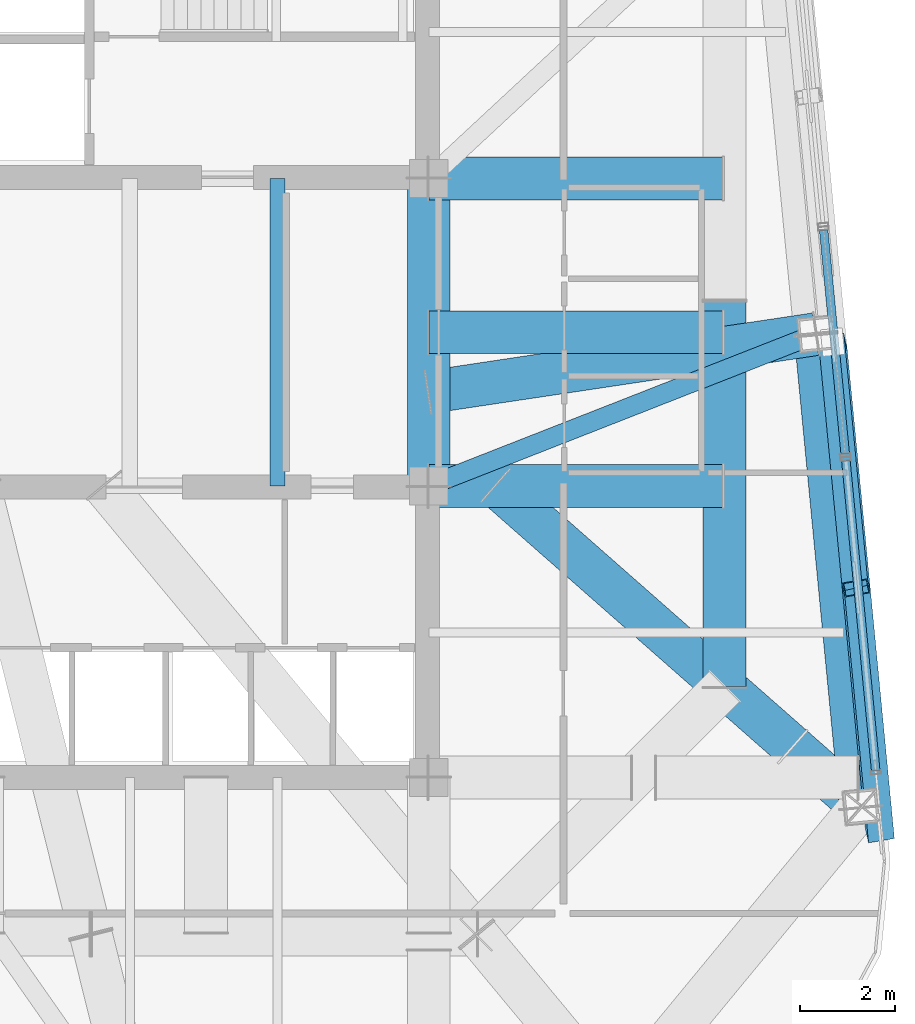
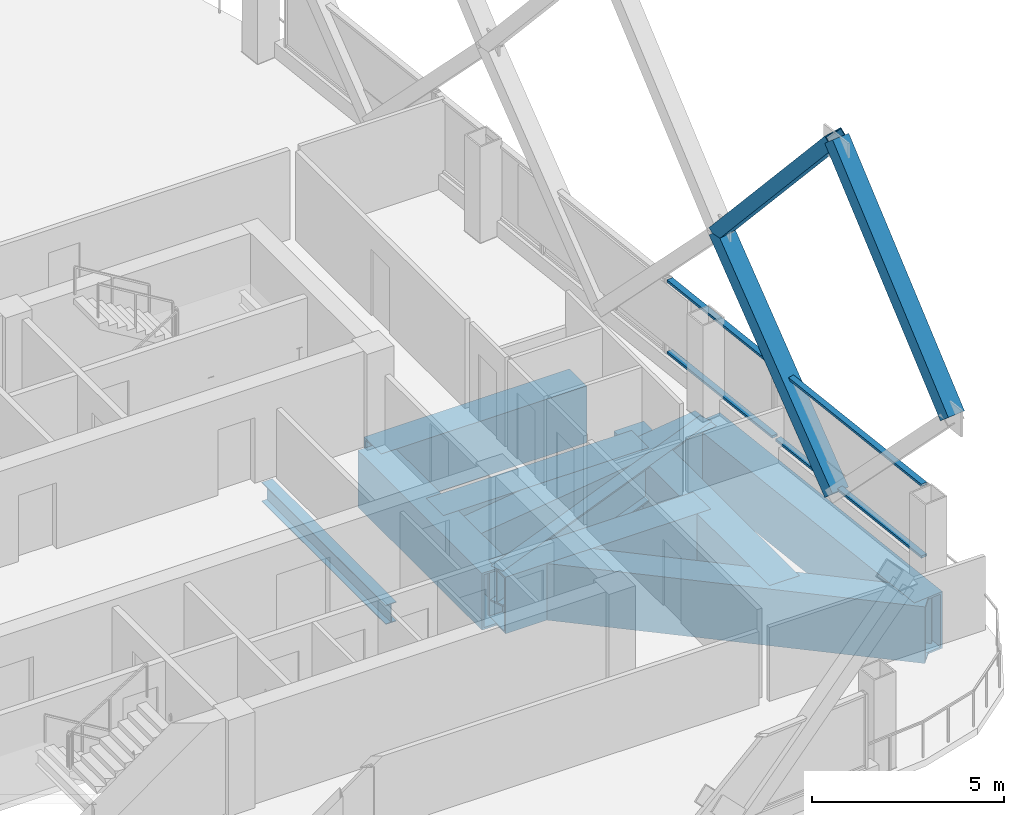
# One storey, part 16 of 37: 10 beams, 7 members, 2 elements without a shape of their own.
"""IFC4 building model written with IfcOpenShell, lengths in metres."""

import ifcopenshell
import ifcopenshell.guid

model = None  # the IFC model being written
_history = None  # IfcOwnerHistory: only IFC2X3 demands one
_inside = {}  # id of a spatial element -> (the spatial element, [elements in it])
_under = {}  # id of a project, library or spatial element -> (it, [spatial elements below it])
_declared = {}  # id of a project -> (the project, [libraries it declares])
_typed = {}  # id of a type object -> (the type object, [elements of that type])
_made_of = {}  # id of a material, layer set ... -> (it, [elements and type objects made of it])


def new_model(schema):
    """Start an empty IFC model of exactly this schema.

    Asked for "IFC4X3", IfcOpenShell would pick the latest addendum, in which some entities
    have other attributes; the version numbers below select the first issue.
    IFC2X3 requires an IfcOwnerHistory on every rooted entity: one is made here for all.
    """
    global model, _history
    if schema == "IFC4X3":
        model = ifcopenshell.file(schema_version=(4, 3, 0, 0))
    else:
        model = ifcopenshell.file(schema=schema)
    _inside.clear()
    _under.clear()
    _declared.clear()
    _typed.clear()
    _made_of.clear()
    _history = None
    if model.schema == "IFC2X3":
        org = make("IfcOrganization", Name="unknown")
        user = make(
            "IfcPersonAndOrganization",
            ThePerson=make("IfcPerson", FamilyName="unknown"),
            TheOrganization=org,
        )
        app = make(
            "IfcApplication",
            ApplicationDeveloper=org,
            Version="unknown",
            ApplicationFullName="unknown",
            ApplicationIdentifier="unknown",
        )
        _history = make(
            "IfcOwnerHistory",
            OwningUser=user,
            OwningApplication=app,
            ChangeAction="ADDED",
            CreationDate=0,
        )
    return model


def make(cls, **values):
    """One entity of the class cls with the attributes given. An attribute that is None is left unset."""
    return model.create_entity(
        cls, **{name: value for name, value in values.items() if value is not None}
    )


def rooted(cls, **values):
    """An entity with a GlobalId (a new one), such as an element, a storey or a relation."""
    return make(cls, GlobalId=ifcopenshell.guid.new(), OwnerHistory=_history, **values)


def si_unit(unit_type, name, prefix=None):
    """IfcSIUnit, for example si_unit("LENGTHUNIT", "METRE", prefix="MILLI")."""
    return make("IfcSIUnit", UnitType=unit_type, Prefix=prefix, Name=name)


def assignment(units):
    """IfcUnitAssignment: the units of a project."""
    return None if units is None else make("IfcUnitAssignment", Units=units)


def point(xyz):
    """IfcCartesianPoint."""
    return None if xyz is None else make("IfcCartesianPoint", Coordinates=xyz)


def direction(xyz):
    """IfcDirection."""
    return None if xyz is None else make("IfcDirection", DirectionRatios=xyz)


def frame(location, z_axis=None, x_axis=None):
    """IfcAxis2Placement3D, a coordinate frame: its origin and axes. An axis left out is left unset."""
    return make(
        "IfcAxis2Placement3D",
        Location=point(location),
        Axis=direction(z_axis),
        RefDirection=direction(x_axis),
    )


def frame_2d(location, x_axis=None):
    """IfcAxis2Placement2D, a coordinate frame in the plane: its origin and x axis."""
    return make(
        "IfcAxis2Placement2D", Location=point(location), RefDirection=direction(x_axis)
    )


def origin():
    """The frame at (0, 0, 0) with its axes left unset."""
    return frame((0.0, 0.0, 0.0))


def origin_2d():
    """The frame at (0, 0) in the plane with its x axis left unset."""
    return frame_2d((0.0, 0.0))


def place(relative_to, where):
    """IfcLocalPlacement: puts the frame where relative to a parent placement (None: the world)."""
    return make(
        "IfcLocalPlacement", PlacementRelTo=relative_to, RelativePlacement=where
    )


def context(
    kind, dimensions, precision=None, world=None, true_north=None, identifier=None
):
    """IfcGeometricRepresentationContext, for example the 3D "Model" context."""
    return make(
        "IfcGeometricRepresentationContext",
        ContextIdentifier=identifier,
        ContextType=kind,
        CoordinateSpaceDimension=dimensions,
        Precision=precision,
        WorldCoordinateSystem=world,
        TrueNorth=true_north,
    )


def subcontext(parent, identifier, kind, view, scale=None):
    """IfcGeometricRepresentationSubContext, for example "Body" below "Model"."""
    return make(
        "IfcGeometricRepresentationSubContext",
        ContextIdentifier=identifier,
        ContextType=kind,
        ParentContext=parent,
        TargetScale=scale,
        TargetView=view,
    )


def project(units=None, contexts=None):
    """IfcProject with its units and contexts."""
    return rooted(
        "IfcProject",
        Name="project",
        RepresentationContexts=contexts,
        UnitsInContext=assignment(units),
    )


def spatial(cls, under=None, at=None, **own):
    """A site, building, storey or space (cls), placed at a placement, below another one or the project."""
    s = rooted(cls, ObjectPlacement=at, **own)
    if under is not None:
        _under.setdefault(under.id(), (under, []))[1].append(s)
    return s


def profile(cls, at=None, kind="AREA", **sizes):
    """A parametric profile (cls). Its sizes go by their IFC names, for example OverallWidth=200.0."""
    return make(cls, ProfileType=kind, Position=at, **sizes)


def hollow_rectangle(**sizes):
    """IfcRectangleHollowProfileDef."""
    return profile("IfcRectangleHollowProfileDef", **sizes)


def i_section(**sizes):
    """IfcIShapeProfileDef."""
    return profile("IfcIShapeProfileDef", **sizes)


def extrude(swept, where, along, depth):
    """IfcExtrudedAreaSolid: the profile swept, set in the frame where, extruded along a direction by depth."""
    return make(
        "IfcExtrudedAreaSolid",
        SweptArea=swept,
        Position=where,
        ExtrudedDirection=direction(along),
        Depth=depth,
    )


def shape(context_of_items, identifier, shape_type, items):
    """IfcShapeRepresentation: the items that make up one representation, for example the "Body"."""
    return make(
        "IfcShapeRepresentation",
        ContextOfItems=context_of_items,
        RepresentationIdentifier=identifier,
        RepresentationType=shape_type,
        Items=items,
    )


def material(Name=None, Category=None):
    """IfcMaterial."""
    return make("IfcMaterial", Name=Name, Category=Category)


def layer(
    of_material, thickness, ventilated=None, Name=None, Category=None, Priority=None
):
    """IfcMaterialLayer: one layer of a wall or slab, of a material (None: an air gap)."""
    return make(
        "IfcMaterialLayer",
        Material=of_material,
        LayerThickness=thickness,
        IsVentilated=ventilated,
        Name=Name,
        Category=Category,
        Priority=Priority,
    )


def layer_set(layers, Name=None):
    """IfcMaterialLayerSet."""
    return make("IfcMaterialLayerSet", MaterialLayers=layers, LayerSetName=Name)


def material_profile(
    of_material, cross_section, Name=None, Category=None, Priority=None
):
    """IfcMaterialProfile: a cross section and its material."""
    return make(
        "IfcMaterialProfile",
        Name=Name,
        Material=of_material,
        Profile=cross_section,
        Priority=Priority,
        Category=Category,
    )


def profile_set(profiles, Name=None, composite=None):
    """IfcMaterialProfileSet."""
    return make(
        "IfcMaterialProfileSet",
        Name=Name,
        MaterialProfiles=profiles,
        CompositeProfile=composite,
    )


def made_of(thing, what):
    """Note that an element or type object is made of a material, layer set ...; save() writes the relation."""
    if what is not None:
        _made_of.setdefault(what.id(), (what, []))[1].append(thing)
    return thing


def type_object(cls, material=None, **own):
    """A type object (cls), such as IfcWallType, which elements share."""
    return made_of(rooted(cls, **own), material)


def element(
    cls,
    number,
    at=None,
    inside=None,
    cuts=None,
    type_object=None,
    material=None,
    context=None,
    identifier="Body",
    shape_type=None,
    held_by="IfcProductDefinitionShape",
    body=None,
    shapes=None,
    **own,
):
    """One element of the class cls, such as IfcWall. Its Tag is "e" and its number.

    at: its placement. inside: the storey or other place that contains it. cuts: it is an
    opening in that element (IfcRelVoidsElement). A single representation is given by context,
    identifier, shape_type and body (its items); several are given by shapes. held_by: the class
    of the entity that holds the representations. save() writes the other relations.
    """
    e = rooted(cls, Tag="e%d" % number, ObjectPlacement=at, **own)
    if body is not None:
        shapes = [shape(context, identifier, shape_type, body)]
    if shapes is not None:
        e.Representation = make(held_by, Representations=shapes)
    if inside is not None:
        _inside.setdefault(inside.id(), (inside, []))[1].append(e)
    if cuts is not None:
        rooted(
            "IfcRelVoidsElement", RelatingBuildingElement=cuts, RelatedOpeningElement=e
        )
    if type_object is not None:
        _typed.setdefault(type_object.id(), (type_object, []))[1].append(e)
    return made_of(e, material)


def aggregate(whole, parts):
    """IfcRelAggregates: a whole, such as a stair, and the parts it consists of."""
    return rooted("IfcRelAggregates", RelatingObject=whole, RelatedObjects=parts)


def save(model, path):
    """Write the relations noted so far, then the file.

    IfcRelAggregates (storeys below a building ...), IfcRelContainedInSpatialStructure (elements
    in a storey), IfcRelDefinesByType, IfcRelAssociatesMaterial and IfcRelDeclares: one each for
    every whole, place, type object, material and project.
    """
    for whole, parts in _under.values():
        aggregate(whole, parts)
    for where, things in _inside.values():
        rooted(
            "IfcRelContainedInSpatialStructure",
            RelatedElements=things,
            RelatingStructure=where,
        )
    for kind, things in _typed.values():
        rooted("IfcRelDefinesByType", RelatedObjects=things, RelatingType=kind)
    for what, things in _made_of.values():
        rooted("IfcRelAssociatesMaterial", RelatedObjects=things, RelatingMaterial=what)
    for by, libraries in _declared.values():
        rooted("IfcRelDeclares", RelatingContext=by, RelatedDefinitions=libraries)
    model.write(path)


model = new_model("IFC4")

# Units and contexts
model_context = context("Model", 3, precision=1e-05, world=origin(), true_north=direction((0.0, 1.0)))
body_context = subcontext(model_context, "Body", "Model", "MODEL_VIEW")
ifc_project = project(units=[si_unit("LENGTHUNIT", "METRE"), si_unit("AREAUNIT", "SQUARE_METRE"), si_unit("VOLUMEUNIT", "CUBIC_METRE"), si_unit("PLANEANGLEUNIT", "RADIAN"), si_unit("MASSUNIT", "GRAM", prefix="KILO")], contexts=[model_context])

# Site, building, storey
site_placement = place(None, origin())
site = spatial("IfcSite", under=ifc_project, at=site_placement, CompositionType="ELEMENT")
building_placement = place(site_placement, origin())
building = spatial("IfcBuilding", under=site, at=building_placement, Name="Qhalaya Broadcast Tower", CompositionType="ELEMENT")
storey_placement = place(building_placement, frame((0.0, 0.0, 156.14990234375)))
storey = spatial("IfcBuildingStorey", under=building, at=storey_placement, Name="L45", CompositionType="ELEMENT", Elevation=156.14990234375)

# Beams
ifc_material_1 = material(Name="Structural Steel ASTM A572 Grade 50", Category="steel")
ifc_material_profile_1 = material_profile(ifc_material_1, hollow_rectangle(XDim=0.89990234375, YDim=1.800048828125, WallThickness=0.06005859375, at=origin_2d()), Name="BOX 900x1800x60")
ifc_profile_set_1 = profile_set([ifc_material_profile_1], Name="Structural Steel ASTM A572 Grade 50")
beam_type_1 = type_object("IfcBeamType", Name="Block Cantilever Transfer Box Girder TG1", PredefinedType="USERDEFINED", material=ifc_profile_set_1)
beam_1_placement = place(storey_placement, frame((18.44775390625, -9.362060546875, -1.119873046875), z_axis=(-0.095826293365, 0.995398071879, 0.0), x_axis=(-0.995398071879, -0.095826293365, 0.0)))
element("IfcBeam", 1, at=beam_1_placement, inside=storey, type_object=beam_type_1, Name="L45 TG1 L45-SPR-05", ObjectType="GIRDER", PredefinedType="USERDEFINED", context=body_context, shape_type="SweptSolid", body=[
    extrude(hollow_rectangle(XDim=0.89990234375, YDim=1.800048828125, WallThickness=0.06005859375, at=origin_2d()), origin(), (0.0, 0.0, 1.0), 9.966796875),
])
beam_2_placement = place(storey_placement, frame((15.580078125, -6.840087890625, -1.119873046875), z_axis=(0.0, 1.0, 0.0), x_axis=(-1.0, 0.0, 0.0)))
element("IfcBeam", 2, at=beam_2_placement, inside=storey, type_object=beam_type_1, Name="L45 TG1 L45-TGL-05", ObjectType="GIRDER", PredefinedType="USERDEFINED", context=body_context, shape_type="SweptSolid", body=[
    extrude(hollow_rectangle(XDim=0.89990234375, YDim=1.800048828125, WallThickness=0.06005859375, at=origin_2d()), origin(), (0.0, 0.0, 1.0), 8.10009765625),
])
beam_3_placement = place(storey_placement, frame((9.375, 0.60009765625, -1.119873046875), z_axis=(1.0, 0.0, 0.0), x_axis=(0.0, 1.0, 0.0)))
element("IfcBeam", 3, at=beam_3_placement, inside=storey, type_object=beam_type_1, Name="L45 TG1 L45-TGIYE-1", ObjectType="GIRDER", PredefinedType="USERDEFINED", context=body_context, shape_type="SweptSolid", body=[
    extrude(hollow_rectangle(XDim=0.89990234375, YDim=1.800048828125, WallThickness=0.06005859375, at=origin_2d()), origin(), (0.0, 0.0, 1.0), 6.1650390625),
])
beam_4_placement = place(storey_placement, frame((9.375, -2.625, -1.119873046875), z_axis=(0.0, 1.0, 0.0), x_axis=(-1.0, 0.0, 0.0)))
element("IfcBeam", 4, at=beam_4_placement, inside=storey, type_object=beam_type_1, Name="L45 TG1 L45-TGIME-1", ObjectType="GIRDER", PredefinedType="USERDEFINED", context=body_context, shape_type="SweptSolid", body=[
    extrude(hollow_rectangle(XDim=0.89990234375, YDim=1.800048828125, WallThickness=0.06005859375, at=origin_2d()), origin(), (0.0, 0.0, 1.0), 6.449951171875),
])
for number, where, z_axis, x_axis, name in (
    (5, (9.375, -2.625, -1.119873046875), (1.0, 0.0, 0.0), (0.0, 1.0, 0.0), "L45 TG1 L45-TGIY2E-1"),
    (6, (9.375, 3.824951171875, -1.119873046875), (1.0, 0.0, 0.0), (0.0, 1.0, 0.0), "L45 TG1 L45-TGIY3E-1"),
):
    element("IfcBeam", number, at=place(storey_placement, frame(where, z_axis=z_axis, x_axis=x_axis)), inside=storey, type_object=beam_type_1, Name=name, ObjectType="GIRDER", PredefinedType="USERDEFINED", context=body_context, shape_type="SweptSolid", body=[
        extrude(hollow_rectangle(XDim=0.89990234375, YDim=1.800048828125, WallThickness=0.06005859375, at=origin_2d()), origin(), (0.0, 0.0, 1.0), 6.1650390625),
    ])
beam_5_placement = place(storey_placement, frame((10.787109375, -2.625, -1.119873046875), z_axis=(0.75092284215, -0.6603899493, 0.0), x_axis=(0.6603899493, 0.75092284215, 0.0)))
element("IfcBeam", 7, at=beam_5_placement, inside=storey, type_object=beam_type_1, Name="L45 Continuous Cantilever Transfer Box Girder 05", ObjectType="GIRDER", PredefinedType="USERDEFINED", context=body_context, shape_type="SweptSolid", body=[
    extrude(hollow_rectangle(XDim=0.89990234375, YDim=1.800048828125, WallThickness=0.06005859375, at=origin_2d()), origin(), (0.0, 0.0, 1.0), 10.20166015625),
])
beam_6_placement = place(storey_placement, frame((9.375, -0.65771484375, -1.119873046875), z_axis=(0.988955978973, 0.14820955318, 0.0), x_axis=(-0.14820955318, 0.988955978973, 0.0)))
element("IfcBeam", 8, at=beam_6_placement, inside=storey, type_object=beam_type_1, Name="L45 Continuous Cantilever Transfer Box Girder 06", ObjectType="GIRDER", PredefinedType="USERDEFINED", context=body_context, shape_type="SweptSolid", body=[
    extrude(hollow_rectangle(XDim=0.89990234375, YDim=1.800048828125, WallThickness=0.06005859375, at=origin_2d()), origin(), (0.0, 0.0, 1.0), 8.208251953125),
])
ifc_material_2 = material(Name="Structural Steel ASTM A992 Grade 50", Category="steel")
ifc_material_profile_2 = material_profile(ifc_material_2, i_section(OverallWidth=0.323974609375, OverallDepth=0.612060546875, WebThickness=0.0126953125, FlangeThickness=0.01904296875, at=origin_2d()), Name="W24X104")
ifc_profile_set_2 = profile_set([ifc_material_profile_2], Name="Structural Steel ASTM A992 Grade 50")
beam_type_2 = type_object("IfcBeamType", Name="Core Frame Tie Beam B04", PredefinedType="BEAM", material=ifc_profile_set_2)
beam_7_placement = place(storey_placement, frame((6.199951171875, -2.625, -0.52587890625), z_axis=(0.0, 1.0, 0.0), x_axis=(-1.0, 0.0, 0.0)))
element("IfcBeam", 9, at=beam_7_placement, inside=storey, type_object=beam_type_2, Name="L45 B04 L45-JC5-1", PredefinedType="BEAM", context=body_context, shape_type="SweptSolid", body=[
    extrude(i_section(OverallWidth=0.323974609375, OverallDepth=0.612060546875, WebThickness=0.0126953125, FlangeThickness=0.01904296875, at=origin_2d()), origin(), (0.0, 0.0, 1.0), 6.449951171875),
])

# Members
ifc_material_profile_3 = material_profile(ifc_material_1, hollow_rectangle(XDim=0.39990234375, YDim=0.550048828125, WallThickness=0.02490234375, at=origin_2d()), Name="BOX 400x550x25")
ifc_profile_set_3 = profile_set([ifc_material_profile_3], Name="Structural Steel ASTM A572 Grade 50")
member_type_1 = type_object("IfcMemberType", Name="Exoskeleton Diamond Diagonal Mid-High EX3", PredefinedType="BRACE", material=ifc_profile_set_3)
member_1_placement = place(storey_placement, frame((18.346923828125, -4.76708984375, 0.360107421875), z_axis=(-0.066504325889, 0.690631901239, 0.720142174594), x_axis=(0.164113379892, -0.704339295697, 0.690632286443)))
element("IfcMember", 10, at=member_1_placement, inside=storey, type_object=member_type_1, Name="B4 Exoskeleton Diamond Brace E1-D2", PredefinedType="BRACE", context=body_context, shape_type="SweptSolid", body=[
    extrude(hollow_rectangle(XDim=0.39990234375, YDim=0.550048828125, WallThickness=0.02490234375, at=origin_2d()), origin(), (0.0, 0.0, 1.0), 7.470703125),
])
for number, where, z_axis, x_axis, name in (
    (11, (18.84375, -9.926513671875, 5.739990234375), (-0.06350423358, 0.659476642868, 0.749037896123), (0.166870327526, -0.732969553362, 0.659477010695), "B4 Exoskeleton Diamond Brace E1-D3"),
    (12, (17.85009765625, 0.392333984375, 5.739990234375), (0.06350423358, -0.659476642868, 0.749037896123), (-0.166870327526, 0.732969553362, 0.659477010695), "B4 Exoskeleton Diamond Brace E1-D4"),
):
    element("IfcMember", number, at=place(storey_placement, frame(where, z_axis=z_axis, x_axis=x_axis)), inside=storey, type_object=member_type_1, Name=name, PredefinedType="BRACE", context=body_context, shape_type="SweptSolid", body=[
        extrude(hollow_rectangle(XDim=0.39990234375, YDim=0.550048828125, WallThickness=0.02490234375, at=origin_2d()), origin(), (0.0, 0.0, 1.0), 7.823486328125),
    ])

# Beam
ifc_material_profile_4 = material_profile(ifc_material_2, i_section(OverallWidth=0.404052734375, OverallDepth=1.117919921875, WebThickness=0.026123046875, FlangeThickness=0.044921875, at=origin_2d()), Name="W44X335")
ifc_profile_set_4 = profile_set([ifc_material_profile_4], Name="Structural Steel ASTM A992 Grade 50")
beam_type_3 = type_object("IfcBeamType", Name="Podium Long-Span Primary Girder PG1", PredefinedType="USERDEFINED", material=ifc_profile_set_4)
beam_8_placement = place(storey_placement, frame((9.375, -2.625, -0.77880859375), z_axis=(0.930956217272, 0.365130827953, 0.0), x_axis=(-0.365130827953, 0.930956217272, 0.0)))
element("IfcBeam", 13, at=beam_8_placement, inside=storey, type_object=beam_type_3, Name="L45 Column-to-Column Moment Tie Girder 06-1", ObjectType="GIRDER", PredefinedType="USERDEFINED", context=body_context, shape_type="SweptSolid", body=[
    extrude(i_section(OverallWidth=0.404052734375, OverallDepth=1.117919921875, WebThickness=0.026123046875, FlangeThickness=0.044921875, at=origin_2d()), origin(), (0.0, 0.0, 1.0), 8.7197265625),
])

# Curtain wall, members
ifc_material_3 = material(Name="Fired Architectural Terracotta", Category="masonry")
ifc_layer_1 = layer(ifc_material_3, 0.219970703125, Name="Fired Architectural Terracotta")
ifc_layer_set_1 = layer_set([ifc_layer_1], Name="Fired Architectural Terracotta")
curtain_wall_type_1 = type_object("IfcCurtainWallType", Name="Block-Cap Unitised Terracotta Spandrel Wall CW-07", PredefinedType="NOTDEFINED", material=ifc_layer_set_1)
curtain_wall_1_placement = place(storey_placement, origin())
curtain_wall_1 = element("IfcCurtainWall", 14, at=curtain_wall_1_placement, inside=storey, type_object=curtain_wall_type_1, Name="L45 Unitised Curtain Wall L45-CW-E1", PredefinedType="NOTDEFINED")
ifc_material_4 = material(Name="Anodised Aluminium 6063-T6", Category="aluminium")
ifc_material_profile_5 = material_profile(ifc_material_4, hollow_rectangle(XDim=0.074951171875, YDim=0.179931640625, WallThickness=0.00390625, at=origin_2d()), Name="ALU-TRN 75x180x4")
ifc_profile_set_5 = profile_set([ifc_material_profile_5], Name="Anodised Aluminium 6063-T6")
member_type_2 = type_object("IfcMemberType", Name="Unitised Curtain-Wall Transom T01", PredefinedType="USERDEFINED", material=ifc_profile_set_5)
member_2_placement = place(storey_placement, frame((18.756591796875, -8.603759765625, 0.517578125), z_axis=(-0.09584906286, 0.995395879612, 0.0), x_axis=(0.0, 0.0, 1.0)))
member_2 = element("IfcMember", 15, at=member_2_placement, type_object=member_type_2, Name="CW-07 transom 1.1", ObjectType="TRANSOM", PredefinedType="USERDEFINED", context=body_context, shape_type="SweptSolid", body=[
    extrude(hollow_rectangle(XDim=0.074951171875, YDim=0.179931640625, WallThickness=0.00390625, at=origin_2d()), origin(), (0.0, 0.0, 1.0), 6.535888671875),
])
member_3_placement = place(storey_placement, frame((18.756591796875, -8.603759765625, 2.79248046875), z_axis=(-0.09584906286, 0.995395879612, 0.0), x_axis=(0.0, 0.0, 1.0)))
member_3 = element("IfcMember", 16, at=member_3_placement, type_object=member_type_2, Name="CW-07 transom 1.2", ObjectType="TRANSOM", PredefinedType="USERDEFINED", context=body_context, shape_type="SweptSolid", body=[
    extrude(hollow_rectangle(XDim=0.074951171875, YDim=0.179931640625, WallThickness=0.00390625, at=origin_2d()), origin(), (0.0, 0.0, 1.0), 6.535888671875),
])
aggregate(curtain_wall_1, [member_2, member_3])

ifc_material_5 = material(Name="Solar-Control Low-E Triple Glazing", Category="glass")
ifc_layer_2 = layer(ifc_material_5, 0.219970703125, Name="Solar-Control Low-E Triple Glazing")
ifc_layer_set_2 = layer_set([ifc_layer_2], Name="Solar-Control Low-E Triple Glazing")
curtain_wall_type_2 = type_object("IfcCurtainWallType", Name="Even-Block 4-Storey Double-Module Curtain Wall CW-03", PredefinedType="NOTDEFINED", material=ifc_layer_set_2)
curtain_wall_2_placement = place(storey_placement, origin())
curtain_wall_2 = element("IfcCurtainWall", 17, at=curtain_wall_2_placement, inside=storey, type_object=curtain_wall_type_2, Name="L45 Unitised Curtain Wall L45-CW-E2", PredefinedType="NOTDEFINED")
member_4_placement = place(storey_placement, frame((18.11572265625, -1.94873046875, 0.517578125), z_axis=(-0.095819050608, 0.995398769107, 0.0), x_axis=(0.0, 0.0, 1.0)))
member_4 = element("IfcMember", 18, at=member_4_placement, type_object=member_type_2, Name="CW-03 transom 1.1", ObjectType="TRANSOM", PredefinedType="USERDEFINED", context=body_context, shape_type="SweptSolid", body=[
    extrude(hollow_rectangle(XDim=0.074951171875, YDim=0.179931640625, WallThickness=0.00390625, at=origin_2d()), origin(), (0.0, 0.0, 1.0), 4.711181640625),
])
member_5_placement = place(storey_placement, frame((18.11572265625, -1.94873046875, 2.79248046875), z_axis=(-0.095819050608, 0.995398769107, 0.0), x_axis=(0.0, 0.0, 1.0)))
member_5 = element("IfcMember", 19, at=member_5_placement, type_object=member_type_2, Name="CW-03 transom 1.2", ObjectType="TRANSOM", PredefinedType="USERDEFINED", context=body_context, shape_type="SweptSolid", body=[
    extrude(hollow_rectangle(XDim=0.074951171875, YDim=0.179931640625, WallThickness=0.00390625, at=origin_2d()), origin(), (0.0, 0.0, 1.0), 4.711181640625),
])
aggregate(curtain_wall_2, [member_4, member_5])

save(model, "model.ifc")
